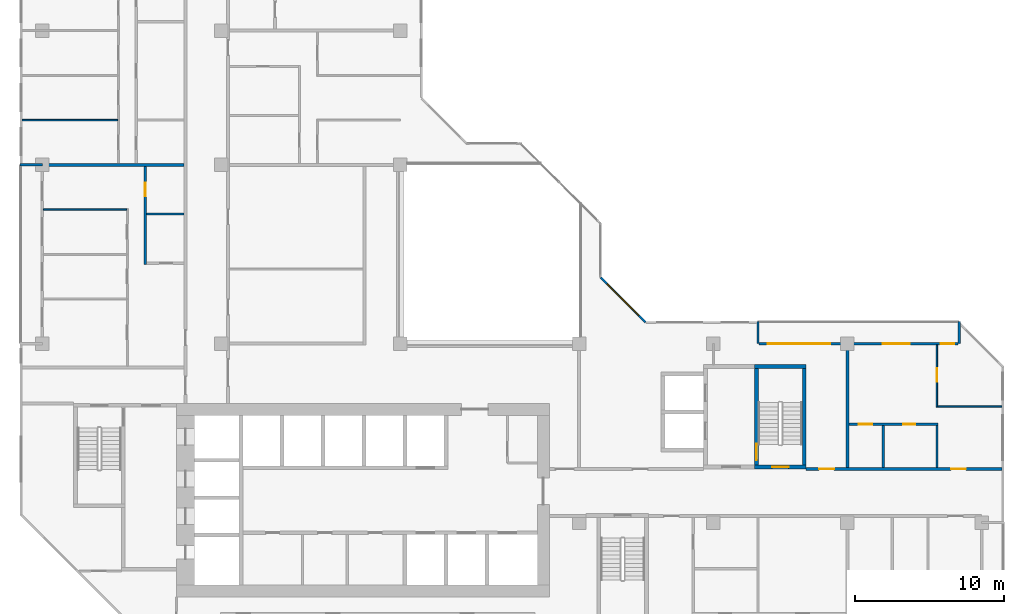
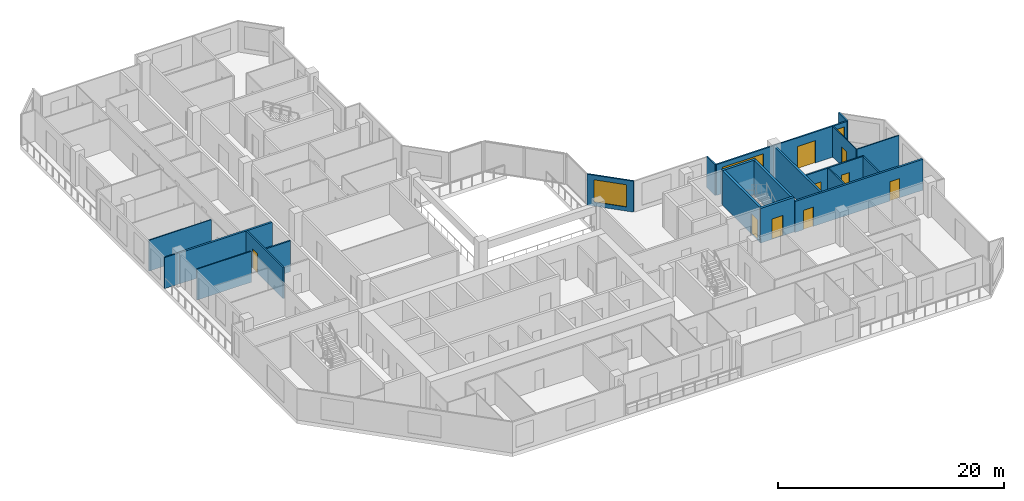
# One storey, part 8 of 14: 21 walls, 9 doors, 3 windows, 12 openings.
"""IFC4 building model written with IfcOpenShell, lengths in metres."""

from ifc_helpers import new_model, si_unit, direction, frame, frame_2d, origin, place, context, subcontext, project, spatial, rectangle, extrude, material, layer, layer_set, type_object, element, fill, save


model = new_model("IFC4")

# Units and contexts
model_context = context("Model", 3, precision=1e-05, world=origin(), true_north=direction((0.0, 1.0)))
body_context = subcontext(model_context, "Body", "Model", "MODEL_VIEW")
ifc_project = project(units=[si_unit("LENGTHUNIT", "METRE"), si_unit("AREAUNIT", "SQUARE_METRE"), si_unit("VOLUMEUNIT", "CUBIC_METRE"), si_unit("PLANEANGLEUNIT", "RADIAN"), si_unit("MASSUNIT", "GRAM", prefix="KILO")], contexts=[model_context])

# Site, building, storey
site_placement = place(None, origin())
site = spatial("IfcSite", under=ifc_project, at=site_placement, CompositionType="ELEMENT")
building_placement = place(site_placement, origin())
building = spatial("IfcBuilding", under=site, at=building_placement, Name="Chenar Terraces", CompositionType="ELEMENT")
storey_placement = place(building_placement, frame((0.0, 0.0, 161.14990234375)))
storey = spatial("IfcBuildingStorey", under=building, at=storey_placement, Name="L36", CompositionType="ELEMENT", Elevation=161.14990234375)

# Wall, opening, door
ifc_material_1 = material(Name="Concrete C60/75", Category="concrete")
ifc_layer_1 = layer(ifc_material_1, 0.25)
ifc_layer_set_1 = layer_set([ifc_layer_1], Name="Concrete C60/75")
wall_type_1 = type_object("IfcWallType", Name="Core wall 250 Concrete C60/75", PredefinedType="SHEAR", material=ifc_layer_set_1)
wall_1_placement = place(storey_placement, frame((47.77490234375, 15.72509765625, 0.0), z_axis=(0.0, 0.0, 1.0), x_axis=(1.0, 0.0, 0.0)))
wall_1 = element("IfcWall", 1, at=wall_1_placement, inside=storey, type_object=wall_type_1, Name="Core wall ST3_S L36", PredefinedType="SHEAR", context=body_context, shape_type="SweptSolid", body=[
    extrude(rectangle(XDim=3.4501953125, YDim=0.25, at=frame_2d((1.72509765625, 0.0))), origin(), (0.0, 0.0, 1.0), 3.75),
])
opening_1_placement = place(wall_1_placement, frame((1.175048828125, 0.0, 0.0)))
opening_1 = element("IfcOpeningElement", 2, at=opening_1_placement, cuts=wall_1, Name="Opening DL36-C8", PredefinedType="OPENING", context=body_context, shape_type="SweptSolid", body=[
    extrude(rectangle(XDim=1.10009765625, YDim=2.199951171875, at=frame_2d((0.550048828125, 1.10009765625))), frame((0.0, 0.135009765625, 0.0), z_axis=(0.0, -1.0, 0.0), x_axis=(1.0, 0.0, 0.0)), (0.0, 0.0, 1.0), 0.27001953125),
])
ifc_material_2 = material(Name="Steel-framed fire-resisting door leaf", Category="steel")
door_type_1 = type_object("IfcDoorType", Name="Stair fire door FD60 1100 x 2200", OperationType="SINGLE_SWING_LEFT", PredefinedType="DOOR", material=ifc_material_2)
door_1_placement = place(opening_1_placement, frame((1.10009765625, 0.0, 0.0), z_axis=(0.0, 0.0, 1.0), x_axis=(-1.0, 0.0, 0.0)))
door_1 = element("IfcDoor", 3, at=door_1_placement, inside=storey, type_object=door_type_1, Name="Stair door DL36-C8", OperationType="SINGLE_SWING_LEFT", OverallHeight=2.199951171875, OverallWidth=1.10009765625, PredefinedType="DOOR", context=body_context, shape_type="SweptSolid", body=[
    extrude(rectangle(XDim=1.10009765625, YDim=2.199951171875, at=frame_2d((0.550048828125, 1.10009765625))), frame((0.0, 0.02490234375, 0.0), z_axis=(0.0, -1.0, 0.0), x_axis=(1.0, 0.0, 0.0)), (0.0, 0.0, 1.0), 0.050048828125),
])
fill(opening_1, door_1)

# Wall
wall_2_placement = place(storey_placement, frame((47.77490234375, 22.47509765625, 0.0), z_axis=(0.0, 0.0, 1.0), x_axis=(1.0, 0.0, 0.0)))
element("IfcWall", 4, at=wall_2_placement, inside=storey, type_object=wall_type_1, Name="Core wall ST3_N L36", PredefinedType="SHEAR", context=body_context, shape_type="SweptSolid", body=[
    extrude(rectangle(XDim=3.4501953125, YDim=0.25, at=frame_2d((1.72509765625, 0.0))), origin(), (0.0, 0.0, 1.0), 3.75),
])

# Wall, opening, door
wall_3_placement = place(storey_placement, frame((47.89990234375, 15.85009765625, 0.0), z_axis=(0.0, 0.0, 1.0), x_axis=(0.0, 1.0, 0.0)))
wall_3 = element("IfcWall", 5, at=wall_3_placement, inside=storey, type_object=wall_type_1, Name="Core wall ST3_W L36", PredefinedType="SHEAR", context=body_context, shape_type="SweptSolid", body=[
    extrude(rectangle(XDim=6.5, YDim=0.25, at=frame_2d((3.25, 0.0))), origin(), (0.0, 0.0, 1.0), 3.75),
])
opening_2_placement = place(wall_3_placement, frame((0.35009765625, 0.0, 0.0)))
opening_2 = element("IfcOpeningElement", 6, at=opening_2_placement, cuts=wall_3, Name="Opening DL36-C11", PredefinedType="OPENING", context=body_context, shape_type="SweptSolid", body=[
    extrude(rectangle(XDim=1.10009765625, YDim=2.199951171875, at=frame_2d((0.550048828125, 1.10009765625))), frame((0.0, 0.135009765625, 0.0), z_axis=(0.0, -1.0, 0.0), x_axis=(1.0, 0.0, 0.0)), (0.0, 0.0, 1.0), 0.27001953125),
])
door_2_placement = place(opening_2_placement, frame((1.10009765625, 0.0, 0.0), z_axis=(0.0, 0.0, 1.0), x_axis=(-1.0, 0.0, 0.0)))
door_2 = element("IfcDoor", 7, at=door_2_placement, inside=storey, type_object=door_type_1, Name="Stair door DL36-C11", OperationType="SINGLE_SWING_RIGHT", OverallHeight=2.199951171875, OverallWidth=1.10009765625, PredefinedType="DOOR", context=body_context, shape_type="SweptSolid", body=[
    extrude(rectangle(XDim=1.10009765625, YDim=2.199951171875, at=frame_2d((0.550048828125, 1.10009765625))), frame((0.0, 0.02490234375, 0.0), z_axis=(0.0, -1.0, 0.0), x_axis=(1.0, 0.0, 0.0)), (0.0, 0.0, 1.0), 0.050048828125),
])
fill(opening_2, door_2)

# Wall
wall_4_placement = place(storey_placement, frame((51.10009765625, 15.85009765625, 0.0), z_axis=(0.0, 0.0, 1.0), x_axis=(0.0, 1.0, 0.0)))
element("IfcWall", 8, at=wall_4_placement, inside=storey, type_object=wall_type_1, Name="Core wall ST3_E L36", PredefinedType="SHEAR", context=body_context, shape_type="SweptSolid", body=[
    extrude(rectangle(XDim=6.5, YDim=0.25, at=frame_2d((3.25, 0.0))), origin(), (0.0, 0.0, 1.0), 3.75),
])

# Wall, openings, doors
ifc_material_3 = material(Name="Gypsum board on steel studs with fire boards", Category="steel")
ifc_layer_2 = layer(ifc_material_3, 0.199951171875)
ifc_layer_set_2 = layer_set([ifc_layer_2], Name="Gypsum board on steel studs with fire boards")
wall_type_2 = type_object("IfcWallType", Name="Corridor wall 200", PredefinedType="PARTITIONING", material=ifc_layer_set_2)
wall_5_placement = place(storey_placement, frame((51.22509765625, 15.60009765625, 0.0), z_axis=(0.0, 0.0, 1.0), x_axis=(1.0, 0.0, 0.0)))
wall_5 = element("IfcWall", 9, at=wall_5_placement, inside=storey, type_object=wall_type_2, Name="Partition L36-072", PredefinedType="PARTITIONING", context=body_context, shape_type="SweptSolid", body=[
    extrude(rectangle(XDim=13.125, YDim=0.199951171875, at=frame_2d((6.5625, 0.0))), origin(), (0.0, 0.0, 1.0), 3.35009765625),
])
opening_3_placement = place(wall_5_placement, frame((9.72509765625, 0.0, 0.0)))
opening_3 = element("IfcOpeningElement", 10, at=opening_3_placement, cuts=wall_5, Name="Opening DL36-7", PredefinedType="OPENING", context=body_context, shape_type="SweptSolid", body=[
    extrude(rectangle(XDim=1.0, YDim=2.10009765625, at=frame_2d((0.5, 1.050048828125))), frame((0.0, 0.10986328125, 0.0), z_axis=(0.0, -1.0, 0.0), x_axis=(1.0, 0.0, 0.0)), (0.0, 0.0, 1.0), 0.219970703125),
])
opening_4_placement = place(wall_5_placement, frame((0.875, 0.0, 0.0)))
opening_4 = element("IfcOpeningElement", 11, at=opening_4_placement, cuts=wall_5, Name="Opening DL36-39", PredefinedType="OPENING", context=body_context, shape_type="SweptSolid", body=[
    extrude(rectangle(XDim=1.0, YDim=2.10009765625, at=frame_2d((0.5, 1.050048828125))), frame((0.0, 0.10986328125, 0.0), z_axis=(0.0, -1.0, 0.0), x_axis=(1.0, 0.0, 0.0)), (0.0, 0.0, 1.0), 0.219970703125),
])
ifc_material_4 = material(Name="Steel-framed fire-resisting door leaf", Category="steel")
door_type_2 = type_object("IfcDoorType", Name="Fire door FD30S 1000 x 2100", OperationType="SINGLE_SWING_LEFT", PredefinedType="DOOR", material=ifc_material_4)
door_3_placement = place(opening_3_placement, origin())
door_3 = element("IfcDoor", 12, at=door_3_placement, inside=storey, type_object=door_type_2, Name="Door DL36-7", OperationType="SINGLE_SWING_LEFT", OverallHeight=2.10009765625, OverallWidth=1.0, PredefinedType="DOOR", context=body_context, shape_type="SweptSolid", body=[
    extrude(rectangle(XDim=1.0, YDim=2.10009765625, at=frame_2d((0.5, 1.050048828125))), frame((0.0, 0.02490234375, 0.0), z_axis=(0.0, -1.0, 0.0), x_axis=(1.0, 0.0, 0.0)), (0.0, 0.0, 1.0), 0.050048828125),
])
fill(opening_3, door_3)
door_4_placement = place(opening_4_placement, origin())
door_4 = element("IfcDoor", 13, at=door_4_placement, inside=storey, type_object=door_type_2, Name="Door DL36-39", OperationType="SINGLE_SWING_RIGHT", OverallHeight=2.10009765625, OverallWidth=1.0, PredefinedType="DOOR", context=body_context, shape_type="SweptSolid", body=[
    extrude(rectangle(XDim=1.0, YDim=2.10009765625, at=frame_2d((0.5, 1.050048828125))), frame((0.0, 0.02490234375, 0.0), z_axis=(0.0, -1.0, 0.0), x_axis=(1.0, 0.0, 0.0)), (0.0, 0.0, 1.0), 0.050048828125),
])
fill(opening_4, door_4)

# Wall, openings, windows, door
ifc_material_5 = material(Name="Aluminium framed glazing", Category="aluminium")
ifc_layer_3 = layer(ifc_material_5, 0.14990234375)
ifc_layer_set_3 = layer_set([ifc_layer_3], Name="Aluminium framed glazing")
wall_type_3 = type_object("IfcWallType", Name="Glazed loggia back wall 150", PredefinedType="SOLIDWALL", material=ifc_layer_set_3)
wall_6_placement = place(storey_placement, frame((61.425048828125, 24.0, 0.0), z_axis=(0.0, 0.0, 1.0), x_axis=(-1.0, 0.0, 0.0)))
wall_6 = element("IfcWall", 14, at=wall_6_placement, inside=storey, type_object=wall_type_3, Name="Glazed loggia back wall", PredefinedType="SOLIDWALL", context=body_context, shape_type="SweptSolid", body=[
    extrude(rectangle(XDim=13.35009765625, YDim=0.14990234375, at=frame_2d((6.675048828125, 0.0))), origin(), (0.0, 0.0, 1.0), 3.35009765625),
])
opening_5_placement = place(wall_6_placement, frame((0.262451171875, 0.0, 0.449951171875)))
opening_5 = element("IfcOpeningElement", 15, at=opening_5_placement, cuts=wall_6, Name="Opening W90x240", PredefinedType="OPENING", context=body_context, shape_type="SweptSolid", body=[
    extrude(rectangle(XDim=0.89990234375, YDim=2.39990234375, at=frame_2d((0.449951171875, 1.199951171875))), frame((0.0, 0.0849609375, 0.0), z_axis=(0.0, -1.0, 0.0), x_axis=(1.0, 0.0, 0.0)), (0.0, 0.0, 1.0), 0.169921875),
])
opening_6_placement = place(wall_6_placement, frame((3.25, 0.0, 0.0)))
opening_6 = element("IfcOpeningElement", 16, at=opening_6_placement, cuts=wall_6, Name="Opening DL36-G1", PredefinedType="OPENING", context=body_context, shape_type="SweptSolid", body=[
    extrude(rectangle(XDim=1.800048828125, YDim=2.39990234375, at=frame_2d((0.89990234375, 1.199951171875))), frame((0.0, 0.0849609375, 0.0), z_axis=(0.0, -1.0, 0.0), x_axis=(1.0, 0.0, 0.0)), (0.0, 0.0, 1.0), 0.169921875),
])
opening_7_placement = place(wall_6_placement, frame((8.5625, 0.0, 0.449951171875)))
opening_7 = element("IfcOpeningElement", 17, at=opening_7_placement, cuts=wall_6, Name="Opening W420x240", PredefinedType="OPENING", context=body_context, shape_type="SweptSolid", body=[
    extrude(rectangle(XDim=4.199951171875, YDim=2.39990234375, at=frame_2d((2.10009765625, 1.199951171875))), frame((0.0, 0.0849609375, 0.0), z_axis=(0.0, -1.0, 0.0), x_axis=(1.0, 0.0, 0.0)), (0.0, 0.0, 1.0), 0.169921875),
])
ifc_material_6 = material(Name="Low emissivity double glazing, aluminium frame", Category="aluminium")
window_type_1 = type_object("IfcWindowType", Name="Fixed light 4200 x 2400", PartitioningType="SINGLE_PANEL", PredefinedType="WINDOW", material=ifc_material_6)
window_1_placement = place(opening_7_placement, origin())
window_1 = element("IfcWindow", 18, at=window_1_placement, inside=storey, type_object=window_type_1, Name="Window", OverallHeight=2.39990234375, OverallWidth=4.199951171875, PartitioningType="SINGLE_PANEL", PredefinedType="WINDOW", context=body_context, shape_type="SweptSolid", body=[
    extrude(rectangle(XDim=4.199951171875, YDim=2.39990234375, at=frame_2d((2.10009765625, 1.199951171875))), frame((0.0, 0.030029296875, 0.0), z_axis=(0.0, -1.0, 0.0), x_axis=(1.0, 0.0, 0.0)), (0.0, 0.0, 1.0), 0.06005859375),
])
fill(opening_7, window_1)
ifc_material_7 = material(Name="Low emissivity double glazing, aluminium frame", Category="aluminium")
window_type_2 = type_object("IfcWindowType", Name="Fixed light 900 x 2400", PartitioningType="SINGLE_PANEL", PredefinedType="WINDOW", material=ifc_material_7)
window_2_placement = place(opening_5_placement, origin())
window_2 = element("IfcWindow", 19, at=window_2_placement, inside=storey, type_object=window_type_2, Name="Window", OverallHeight=2.39990234375, OverallWidth=0.89990234375, PartitioningType="SINGLE_PANEL", PredefinedType="WINDOW", context=body_context, shape_type="SweptSolid", body=[
    extrude(rectangle(XDim=0.89990234375, YDim=2.39990234375, at=frame_2d((0.449951171875, 1.199951171875))), frame((0.0, 0.030029296875, 0.0), z_axis=(0.0, -1.0, 0.0), x_axis=(1.0, 0.0, 0.0)), (0.0, 0.0, 1.0), 0.06005859375),
])
fill(opening_5, window_2)
ifc_material_8 = material(Name="Low emissivity double glazing, aluminium frame", Category="aluminium")
door_type_3 = type_object("IfcDoorType", Name="Loggia glazed double door 1800 x 2400", OperationType="DOUBLE_DOOR_SINGLE_SWING", PredefinedType="DOOR", material=ifc_material_8)
door_5_placement = place(opening_6_placement, frame((1.800048828125, 0.0, 0.0), z_axis=(0.0, 0.0, 1.0), x_axis=(-1.0, 0.0, 0.0)))
door_5 = element("IfcDoor", 20, at=door_5_placement, inside=storey, type_object=door_type_3, Name="Loggia glazed door", OperationType="DOUBLE_DOOR_SINGLE_SWING", OverallHeight=2.39990234375, OverallWidth=1.800048828125, PredefinedType="DOOR", context=body_context, shape_type="SweptSolid", body=[
    extrude(rectangle(XDim=1.800048828125, YDim=2.39990234375, at=frame_2d((0.89990234375, 1.199951171875))), frame((0.0, 0.02490234375, 0.0), z_axis=(0.0, -1.0, 0.0), x_axis=(1.0, 0.0, 0.0)), (0.0, 0.0, 1.0), 0.050048828125),
])
fill(opening_6, door_5)

# Walls
ifc_material_9 = material(Name="Gypsum board on steel studs", Category="steel")
ifc_layer_4 = layer(ifc_material_9, 0.10009765625)
ifc_layer_set_4 = layer_set([ifc_layer_4], Name="Gypsum board on steel studs")
wall_type_4 = type_object("IfcWallType", Name="Gypsum partition 100", PredefinedType="PARTITIONING", material=ifc_layer_set_4)
wall_7_placement = place(storey_placement, frame((-1.35107421875, 39.0, 0.0), z_axis=(0.0, 0.0, 1.0), x_axis=(1.0, 0.0, 0.0)))
element("IfcWall", 21, at=wall_7_placement, inside=storey, type_object=wall_type_4, Name="Partition L36-001", PredefinedType="PARTITIONING", context=body_context, shape_type="SweptSolid", body=[
    extrude(rectangle(XDim=6.401123046875, YDim=0.10009765625, at=frame_2d((3.20068359375, 0.0))), origin(), (0.0, 0.0, 1.0), 3.35009765625),
])
wall_8_placement = place(storey_placement, frame((0.073974609375, 33.0, 0.0), z_axis=(0.0, 0.0, 1.0), x_axis=(1.0, 0.0, 0.0)))
element("IfcWall", 22, at=wall_8_placement, inside=storey, type_object=wall_type_4, Name="Partition L36-010", PredefinedType="PARTITIONING", context=body_context, shape_type="SweptSolid", body=[
    extrude(rectangle(XDim=5.575927734375, YDim=0.10009765625, at=frame_2d((2.7880859375, 0.0))), origin(), (0.0, 0.0, 1.0), 3.35009765625),
])

# Wall, opening, door
wall_9_placement = place(storey_placement, frame((60.0, 19.75, 0.0), z_axis=(0.0, 0.0, 1.0), x_axis=(0.0, 1.0, 0.0)))
wall_9 = element("IfcWall", 23, at=wall_9_placement, inside=storey, type_object=wall_type_4, Name="Partition L36-083", PredefinedType="PARTITIONING", context=body_context, shape_type="SweptSolid", body=[
    extrude(rectangle(XDim=4.176025390625, YDim=0.10009765625, at=frame_2d((2.087890625, 0.0))), origin(), (0.0, 0.0, 1.0), 3.35009765625),
])
opening_8_placement = place(wall_9_placement, frame((1.699951171875, 0.0, 0.0)))
opening_8 = element("IfcOpeningElement", 24, at=opening_8_placement, cuts=wall_9, Name="Opening DL36-5", PredefinedType="OPENING", context=body_context, shape_type="SweptSolid", body=[
    extrude(rectangle(XDim=0.89990234375, YDim=2.10009765625, at=frame_2d((0.449951171875, 1.050048828125))), frame((0.0, 0.06005859375, 0.0), z_axis=(0.0, -1.0, 0.0), x_axis=(1.0, 0.0, 0.0)), (0.0, 0.0, 1.0), 0.1201171875),
])
ifc_material_10 = material(Name="Veneered timber door leaf", Category="wood")
door_type_4 = type_object("IfcDoorType", Name="Door 900 x 2100", OperationType="SINGLE_SWING_LEFT", PredefinedType="DOOR", material=ifc_material_10)
door_6_placement = place(opening_8_placement, frame((0.89990234375, 0.0, 0.0), z_axis=(0.0, 0.0, 1.0), x_axis=(-1.0, 0.0, 0.0)))
door_6 = element("IfcDoor", 25, at=door_6_placement, inside=storey, type_object=door_type_4, Name="Door DL36-5", OperationType="SINGLE_SWING_RIGHT", OverallHeight=2.10009765625, OverallWidth=0.89990234375, PredefinedType="DOOR", context=body_context, shape_type="SweptSolid", body=[
    extrude(rectangle(XDim=0.89990234375, YDim=2.10009765625, at=frame_2d((0.449951171875, 1.050048828125))), frame((0.0, 0.02490234375, 0.0), z_axis=(0.0, -1.0, 0.0), x_axis=(1.0, 0.0, 0.0)), (0.0, 0.0, 1.0), 0.050048828125),
])
fill(opening_8, door_6)

# Walls
wall_10_placement = place(storey_placement, frame((60.050048828125, 19.800048828125, 0.0), z_axis=(0.0, 0.0, 1.0), x_axis=(1.0, 0.0, 0.0)))
element("IfcWall", 26, at=wall_10_placement, inside=storey, type_object=wall_type_4, Name="Partition L36-084", PredefinedType="PARTITIONING", context=body_context, shape_type="SweptSolid", body=[
    extrude(rectangle(XDim=4.300048828125, YDim=0.10009765625, at=frame_2d((2.14990234375, 0.0))), origin(), (0.0, 0.0, 1.0), 3.35009765625),
])
ifc_material_11 = material(Name="Terracotta cladding on insulated backing", Category="masonry")
ifc_layer_5 = layer(ifc_material_11, 0.14990234375)
ifc_layer_set_5 = layer_set([ifc_layer_5], Name="Terracotta cladding on insulated backing")
wall_type_5 = type_object("IfcWallType", Name="Loggia return wall 150", PredefinedType="SOLIDWALL", material=ifc_layer_set_5)
for number, where, z_axis, x_axis, name in (
    (27, (61.5, 25.5, 0.0), (0.0, 0.0, 1.0), (0.0, -1.0, 0.0), "Loggia return wall"),
    (28, (48.0, 25.5, 0.0), (0.0, 0.0, 1.0), (0.0, -1.0, 0.0), "Loggia return wall"),
    (29, (-1.5, 36.0, 0.0), (0.0, 0.0, 1.0), (1.0, 0.0, 0.0), "Loggia return wall"),
):
    element("IfcWall", number, at=place(storey_placement, frame(where, z_axis=z_axis, x_axis=x_axis)), inside=storey, type_object=wall_type_5, Name=name, PredefinedType="SOLIDWALL", context=body_context, shape_type="SweptSolid", body=[
        extrude(rectangle(XDim=1.5, YDim=0.14990234375, at=frame_2d((0.75, 0.0))), origin(), (0.0, 0.0, 1.0), 3.35009765625),
    ])

# Wall, opening, window
ifc_material_12 = material(Name="Terracotta cladding on insulated backing", Category="masonry")
ifc_layer_6 = layer(ifc_material_12, 0.14990234375)
ifc_layer_set_6 = layer_set([ifc_layer_6], Name="Terracotta cladding on insulated backing")
wall_type_6 = type_object("IfcWallType", Name="Terracotta rainscreen wall 150", PredefinedType="SOLIDWALL", material=ifc_layer_set_6)
wall_11_placement = place(storey_placement, frame((40.447021484375, 25.447021484375, 0.0), z_axis=(0.0, 0.0, 1.0), x_axis=(-0.707106781187, 0.707106781187, 0.0)))
wall_11 = element("IfcWall", 30, at=wall_11_placement, inside=storey, type_object=wall_type_6, Name="Terracotta rainscreen wall", PredefinedType="SOLIDWALL", context=body_context, shape_type="SweptSolid", body=[
    extrude(rectangle(XDim=4.24267578125, YDim=0.14990234375, at=frame_2d((2.121337890625, 0.0))), origin(), (0.0, 0.0, 1.0), 3.35009765625),
])
opening_9_placement = place(wall_11_placement, frame((0.621337890625, 0.0, 0.449951171875)))
opening_9 = element("IfcOpeningElement", 31, at=opening_9_placement, cuts=wall_11, Name="Opening W300x240", PredefinedType="OPENING", context=body_context, shape_type="SweptSolid", body=[
    extrude(rectangle(XDim=3.0, YDim=2.39990234375, at=frame_2d((1.5, 1.199951171875))), frame((0.0, 0.0849609375, 0.0), z_axis=(0.0, -1.0, 0.0), x_axis=(1.0, 0.0, 0.0)), (0.0, 0.0, 1.0), 0.169921875),
])
ifc_material_13 = material(Name="Low emissivity double glazing, aluminium frame", Category="aluminium")
window_type_3 = type_object("IfcWindowType", Name="Fixed light 3000 x 2400", PartitioningType="SINGLE_PANEL", PredefinedType="WINDOW", material=ifc_material_13)
window_3_placement = place(opening_9_placement, origin())
window_3 = element("IfcWindow", 32, at=window_3_placement, inside=storey, type_object=window_type_3, Name="Window", OverallHeight=2.39990234375, OverallWidth=3.0, PartitioningType="SINGLE_PANEL", PredefinedType="WINDOW", context=body_context, shape_type="SweptSolid", body=[
    extrude(rectangle(XDim=3.0, YDim=2.39990234375, at=frame_2d((1.5, 1.199951171875))), frame((0.0, 0.030029296875, 0.0), z_axis=(0.0, -1.0, 0.0), x_axis=(1.0, 0.0, 0.0)), (0.0, 0.0, 1.0), 0.06005859375),
])
fill(opening_9, window_3)

# Walls
ifc_material_14 = material(Name="Twin gypsum board on steel studs with mineral wool", Category="steel")
ifc_layer_7 = layer(ifc_material_14, 0.199951171875)
ifc_layer_set_7 = layer_set([ifc_layer_7], Name="Twin gypsum board on steel studs with mineral wool")
wall_type_7 = type_object("IfcWallType", Name="Unit demising wall 200", PredefinedType="PARTITIONING", material=ifc_layer_set_7)
wall_12_placement = place(storey_placement, frame((0.0, 36.0, 0.0), z_axis=(0.0, 0.0, 1.0), x_axis=(1.0, 0.0, 0.0)))
element("IfcWall", 33, at=wall_12_placement, inside=storey, type_object=wall_type_7, Name="Partition L36-006", PredefinedType="PARTITIONING", context=body_context, shape_type="SweptSolid", body=[
    extrude(rectangle(XDim=9.5, YDim=0.199951171875, at=frame_2d((4.75, 0.0))), origin(), (0.0, 0.0, 1.0), 3.35009765625),
])
wall_13_placement = place(storey_placement, frame((54.0, 15.699951171875, 0.0), z_axis=(0.0, 0.0, 1.0), x_axis=(0.0, 1.0, 0.0)))
element("IfcWall", 34, at=wall_13_placement, inside=storey, type_object=wall_type_7, Name="Partition L36-074", PredefinedType="PARTITIONING", context=body_context, shape_type="SweptSolid", body=[
    extrude(rectangle(XDim=8.22607421875, YDim=0.199951171875, at=frame_2d((4.113037109375, 0.0))), origin(), (0.0, 0.0, 1.0), 3.35009765625),
])

# Wall, opening, door
ifc_material_15 = material(Name="Moisture-resistant gypsum board on steel studs", Category="steel")
ifc_layer_8 = layer(ifc_material_15, 0.14990234375)
ifc_layer_set_8 = layer_set([ifc_layer_8], Name="Moisture-resistant gypsum board on steel studs")
wall_type_8 = type_object("IfcWallType", Name="Wet-room partition 150", PredefinedType="PARTITIONING", material=ifc_layer_set_8)
wall_14_placement = place(storey_placement, frame((6.89990234375, 29.324951171875, 0.0), z_axis=(0.0, 0.0, 1.0), x_axis=(0.0, 1.0, 0.0)))
wall_14 = element("IfcWall", 35, at=wall_14_placement, inside=storey, type_object=wall_type_8, Name="Partition L36-023", PredefinedType="PARTITIONING", context=body_context, shape_type="SweptSolid", body=[
    extrude(rectangle(XDim=6.574951171875, YDim=0.14990234375, at=frame_2d((3.28759765625, 0.0))), origin(), (0.0, 0.0, 1.0), 3.35009765625),
])
opening_10_placement = place(wall_14_placement, frame((4.574951171875, 0.0, 0.0)))
opening_10 = element("IfcOpeningElement", 36, at=opening_10_placement, cuts=wall_14, Name="Opening DL36-61", PredefinedType="OPENING", context=body_context, shape_type="SweptSolid", body=[
    extrude(rectangle(XDim=0.89990234375, YDim=2.10009765625, at=frame_2d((0.449951171875, 1.050048828125))), frame((0.0, 0.0849609375, 0.0), z_axis=(0.0, -1.0, 0.0), x_axis=(1.0, 0.0, 0.0)), (0.0, 0.0, 1.0), 0.169921875),
])
door_7_placement = place(opening_10_placement, frame((0.89990234375, 0.0, 0.0), z_axis=(0.0, 0.0, 1.0), x_axis=(-1.0, 0.0, 0.0)))
door_7 = element("IfcDoor", 37, at=door_7_placement, inside=storey, type_object=door_type_4, Name="Door DL36-61", OperationType="SINGLE_SWING_LEFT", OverallHeight=2.10009765625, OverallWidth=0.89990234375, PredefinedType="DOOR", context=body_context, shape_type="SweptSolid", body=[
    extrude(rectangle(XDim=0.89990234375, YDim=2.10009765625, at=frame_2d((0.449951171875, 1.050048828125))), frame((0.0, 0.02490234375, 0.0), z_axis=(0.0, -1.0, 0.0), x_axis=(1.0, 0.0, 0.0)), (0.0, 0.0, 1.0), 0.050048828125),
])
fill(opening_10, door_7)

# Wall
wall_15_placement = place(storey_placement, frame((6.97509765625, 32.699951171875, 0.0), z_axis=(0.0, 0.0, 1.0), x_axis=(1.0, 0.0, 0.0)))
element("IfcWall", 38, at=wall_15_placement, inside=storey, type_object=wall_type_8, Name="Partition L36-025", PredefinedType="PARTITIONING", context=body_context, shape_type="SweptSolid", body=[
    extrude(rectangle(XDim=2.52490234375, YDim=0.14990234375, at=frame_2d((1.262451171875, 0.0))), origin(), (0.0, 0.0, 1.0), 3.35009765625),
])

# Wall, openings, doors
wall_16_placement = place(storey_placement, frame((54.10009765625, 18.60009765625, 0.0), z_axis=(0.0, 0.0, 1.0), x_axis=(1.0, 0.0, 0.0)))
wall_16 = element("IfcWall", 39, at=wall_16_placement, inside=storey, type_object=wall_type_8, Name="Partition L36-077", PredefinedType="PARTITIONING", context=body_context, shape_type="SweptSolid", body=[
    extrude(rectangle(XDim=5.974853515625, YDim=0.14990234375, at=frame_2d((2.9873046875, 0.0))), origin(), (0.0, 0.0, 1.0), 3.35009765625),
])
opening_11_placement = place(wall_16_placement, frame((3.64990234375, 0.0, 0.0)))
opening_11 = element("IfcOpeningElement", 40, at=opening_11_placement, cuts=wall_16, Name="Opening DL36-4", PredefinedType="OPENING", context=body_context, shape_type="SweptSolid", body=[
    extrude(rectangle(XDim=0.800048828125, YDim=2.10009765625, at=frame_2d((0.39990234375, 1.050048828125))), frame((0.0, 0.0849609375, 0.0), z_axis=(0.0, -1.0, 0.0), x_axis=(1.0, 0.0, 0.0)), (0.0, 0.0, 1.0), 0.169921875),
])
opening_12_placement = place(wall_16_placement, frame((0.64990234375, 0.0, 0.0)))
opening_12 = element("IfcOpeningElement", 41, at=opening_12_placement, cuts=wall_16, Name="Opening DL36-6", PredefinedType="OPENING", context=body_context, shape_type="SweptSolid", body=[
    extrude(rectangle(XDim=0.89990234375, YDim=2.10009765625, at=frame_2d((0.449951171875, 1.050048828125))), frame((0.0, 0.0849609375, 0.0), z_axis=(0.0, -1.0, 0.0), x_axis=(1.0, 0.0, 0.0)), (0.0, 0.0, 1.0), 0.169921875),
])
ifc_material_16 = material(Name="Veneered timber door leaf", Category="wood")
door_type_5 = type_object("IfcDoorType", Name="Door 800 x 2100", OperationType="SINGLE_SWING_LEFT", PredefinedType="DOOR", material=ifc_material_16)
door_8_placement = place(opening_11_placement, frame((0.800048828125, 0.0, 0.0), z_axis=(0.0, 0.0, 1.0), x_axis=(-1.0, 0.0, 0.0)))
door_8 = element("IfcDoor", 42, at=door_8_placement, inside=storey, type_object=door_type_5, Name="Door DL36-4", OperationType="SINGLE_SWING_RIGHT", OverallHeight=2.10009765625, OverallWidth=0.800048828125, PredefinedType="DOOR", context=body_context, shape_type="SweptSolid", body=[
    extrude(rectangle(XDim=0.800048828125, YDim=2.10009765625, at=frame_2d((0.39990234375, 1.050048828125))), frame((0.0, 0.02490234375, 0.0), z_axis=(0.0, -1.0, 0.0), x_axis=(1.0, 0.0, 0.0)), (0.0, 0.0, 1.0), 0.050048828125),
])
fill(opening_11, door_8)
door_9_placement = place(opening_12_placement, frame((0.89990234375, 0.0, 0.0), z_axis=(0.0, 0.0, 1.0), x_axis=(-1.0, 0.0, 0.0)))
door_9 = element("IfcDoor", 43, at=door_9_placement, inside=storey, type_object=door_type_4, Name="Door DL36-6", OperationType="SINGLE_SWING_LEFT", OverallHeight=2.10009765625, OverallWidth=0.89990234375, PredefinedType="DOOR", context=body_context, shape_type="SweptSolid", body=[
    extrude(rectangle(XDim=0.89990234375, YDim=2.10009765625, at=frame_2d((0.449951171875, 1.050048828125))), frame((0.0, 0.02490234375, 0.0), z_axis=(0.0, -1.0, 0.0), x_axis=(1.0, 0.0, 0.0)), (0.0, 0.0, 1.0), 0.050048828125),
])
fill(opening_12, door_9)

# Walls
for number, where, z_axis, x_axis, name in (
    (44, (56.39990234375, 15.699951171875, 0.0), (0.0, 0.0, 1.0), (0.0, 1.0, 0.0), "Partition L36-078"),
    (45, (60.0, 15.699951171875, 0.0), (0.0, 0.0, 1.0), (0.0, 1.0, 0.0), "Partition L36-082"),
):
    element("IfcWall", number, at=place(storey_placement, frame(where, z_axis=z_axis, x_axis=x_axis)), inside=storey, type_object=wall_type_8, Name=name, PredefinedType="PARTITIONING", context=body_context, shape_type="SweptSolid", body=[
        extrude(rectangle(XDim=2.824951171875, YDim=0.14990234375, at=frame_2d((1.41259765625, 0.0))), origin(), (0.0, 0.0, 1.0), 3.35009765625),
    ])

save(model, "model.ifc")
